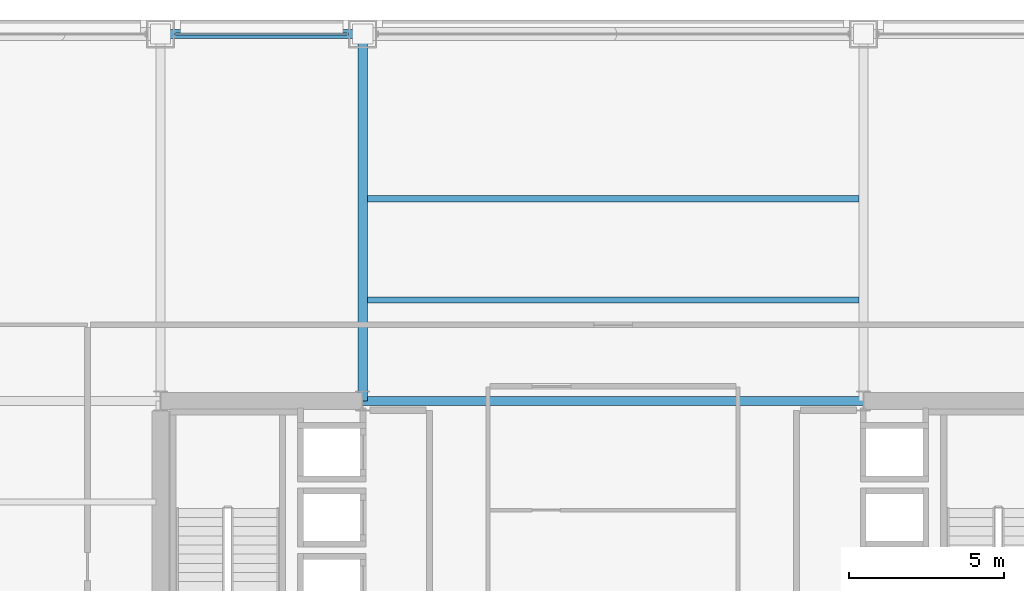
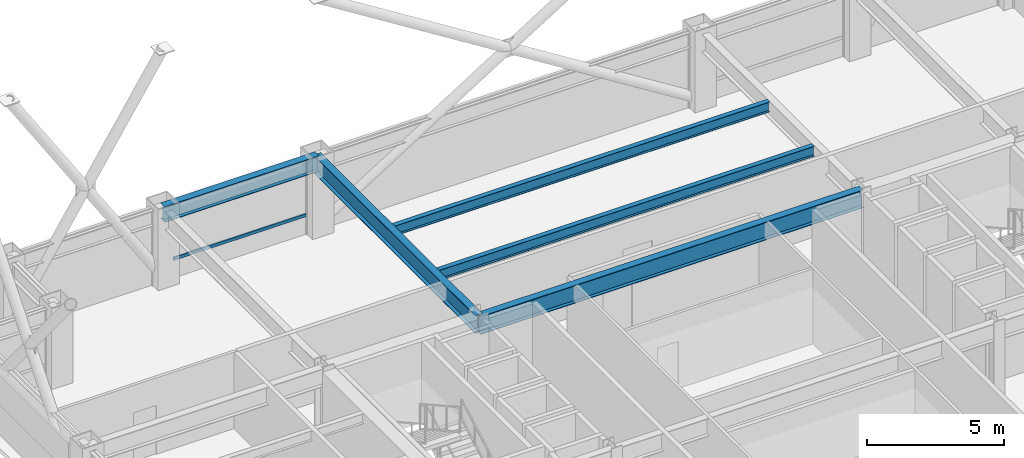
# One storey, part 17 of 30: 5 beams, 1 member, 1 element without a shape of its own.
"""IFC4 building model written with IfcOpenShell, lengths in metres."""

from ifc_helpers import new_model, si_unit, direction, frame, origin, origin_2d, place, context, subcontext, project, spatial, hollow_rectangle, i_section, extrude, material, layer, layer_set, material_profile, profile_set, type_object, element, aggregate, save


model = new_model("IFC4")

# Units and contexts
model_context = context("Model", 3, precision=1e-05, world=origin(), true_north=direction((0.0, 1.0)))
body_context = subcontext(model_context, "Body", "Model", "MODEL_VIEW")
ifc_project = project(units=[si_unit("LENGTHUNIT", "METRE"), si_unit("AREAUNIT", "SQUARE_METRE"), si_unit("VOLUMEUNIT", "CUBIC_METRE"), si_unit("PLANEANGLEUNIT", "RADIAN"), si_unit("MASSUNIT", "GRAM", prefix="KILO")], contexts=[model_context])

# Site, building, storey
site_placement = place(None, origin())
site = spatial("IfcSite", under=ifc_project, at=site_placement, CompositionType="ELEMENT")
building_placement = place(site_placement, origin())
building = spatial("IfcBuilding", under=site, at=building_placement, Name="Brelmoor Portico Tower", CompositionType="ELEMENT")
storey_placement = place(building_placement, frame((0.0, 0.0, 56.39990234375)))
storey = spatial("IfcBuildingStorey", under=building, at=storey_placement, Name="L14", CompositionType="ELEMENT", Elevation=56.39990234375)

# Beams
ifc_material_1 = material(Name="Steel Q355B", Category="steel")
ifc_material_profile_1 = material_profile(ifc_material_1, i_section(OverallWidth=0.199951171875, OverallDepth=0.449951171875, WebThickness=0.009033203125, FlangeThickness=0.013916015625, at=origin_2d()), Name="HN 450x200x9x14")
ifc_profile_set_1 = profile_set([ifc_material_profile_1], Name="Steel Q355B")
beam_type_1 = type_object("IfcBeamType", Name="BM-JS-450", PredefinedType="JOIST", material=ifc_profile_set_1)
for number, where, z_axis, x_axis, name in (
    (1, (-7.89990234375, 13.0, 3.175048828125), (1.0, 0.0, 0.0), (0.0, 1.0, 0.0), "L14 Secondary Composite Joist JS-C03"),
    (2, (-7.89990234375, 16.25, 3.175048828125), (1.0, 0.0, 0.0), (0.0, 1.0, 0.0), "L14 Secondary Composite Joist JS-C04"),
):
    element("IfcBeam", number, at=place(storey_placement, frame(where, z_axis=z_axis, x_axis=x_axis)), inside=storey, type_object=beam_type_1, Name=name, PredefinedType="JOIST", context=body_context, shape_type="SweptSolid", body=[
        extrude(i_section(OverallWidth=0.199951171875, OverallDepth=0.449951171875, WebThickness=0.009033203125, FlangeThickness=0.013916015625, at=origin_2d()), origin(), (0.0, 0.0, 1.0), 15.7998046875),
    ])
ifc_material_profile_2 = material_profile(ifc_material_1, i_section(OverallWidth=0.300048828125, OverallDepth=0.800048828125, WebThickness=0.013916015625, FlangeThickness=0.02587890625, at=origin_2d()), Name="HN 800x300x14x26")
ifc_profile_set_2 = profile_set([ifc_material_profile_2], Name="Steel Q355B")
beam_type_2 = type_object("IfcBeamType", Name="BM-PG-800", PredefinedType="BEAM", material=ifc_profile_set_2)
beam_1_placement = place(storey_placement, frame((-8.050048828125, 9.75, 3.0), z_axis=(0.0, 1.0, 0.0), x_axis=(-1.0, 0.0, 0.0)))
element("IfcBeam", 3, at=beam_1_placement, inside=storey, type_object=beam_type_2, Name="L14 Primary Floor Girder PG-08", PredefinedType="BEAM", context=body_context, shape_type="SweptSolid", body=[
    extrude(i_section(OverallWidth=0.300048828125, OverallDepth=0.800048828125, WebThickness=0.013916015625, FlangeThickness=0.02587890625, at=origin_2d()), origin(), (0.0, 0.0, 1.0), 11.800048828125),
])
beam_2_placement = place(storey_placement, frame((-8.050048828125, 9.75, 3.0), z_axis=(1.0, 0.0, 0.0), x_axis=(0.0, 1.0, 0.0)))
element("IfcBeam", 4, at=beam_2_placement, inside=storey, type_object=beam_type_2, Name="L14 Primary Floor Girder PG-29", PredefinedType="BEAM", context=body_context, shape_type="SweptSolid", body=[
    extrude(i_section(OverallWidth=0.300048828125, OverallDepth=0.800048828125, WebThickness=0.013916015625, FlangeThickness=0.02587890625, at=origin_2d()), origin(), (0.0, 0.0, 1.0), 16.10009765625),
])
ifc_material_profile_3 = material_profile(ifc_material_1, i_section(OverallWidth=0.300048828125, OverallDepth=0.699951171875, WebThickness=0.012939453125, FlangeThickness=0.02392578125, at=origin_2d()), Name="HN 700x300x13x24")
ifc_profile_set_3 = profile_set([ifc_material_profile_3], Name="Steel Q355B")
beam_type_3 = type_object("IfcBeamType", Name="BM-SP-700", PredefinedType="SPANDREL", material=ifc_profile_set_3)
beam_3_placement = place(storey_placement, frame((-14.550048828125, 21.550048828125, 3.050048828125), z_axis=(1.0, 0.0, 0.0), x_axis=(0.0, 1.0, 0.0)))
element("IfcBeam", 5, at=beam_3_placement, inside=storey, type_object=beam_type_3, Name="L14 Perimeter Spandrel Beam SP-11", PredefinedType="SPANDREL", context=body_context, shape_type="SweptSolid", body=[
    extrude(i_section(OverallWidth=0.300048828125, OverallDepth=0.699951171875, WebThickness=0.012939453125, FlangeThickness=0.02392578125, at=origin_2d()), origin(), (0.0, 0.0, 1.0), 6.5),
])

# Curtain wall, member
ifc_material_2 = material(Name="Anodised Aluminium Alloy 6063-T6", Category="aluminium")
ifc_layer = layer(ifc_material_2, 0.179931640625)
ifc_layer_set = layer_set([ifc_layer], Name="Anodised Aluminium Alloy 6063-T6")
curtain_wall_type = type_object("IfcCurtainWallType", Name="CW-TOWER-Z1", PredefinedType="NOTDEFINED", material=ifc_layer_set)
curtain_wall_placement = place(storey_placement, origin())
curtain_wall = element("IfcCurtainWall", 6, at=curtain_wall_placement, inside=storey, type_object=curtain_wall_type, Name="L14 Curtain Wall CW-L14-02-2", PredefinedType="NOTDEFINED")
ifc_material_profile_4 = material_profile(ifc_material_2, hollow_rectangle(XDim=0.06494140625, YDim=0.139892578125, WallThickness=0.00390625, at=origin_2d()), Name="ALU TRANSOM 65x140")
ifc_profile_set_4 = profile_set([ifc_material_profile_4], Name="Anodised Aluminium Alloy 6063-T6")
member_type = type_object("IfcMemberType", Name="MB-CW-TRAN-140", PredefinedType="USERDEFINED", material=ifc_profile_set_4)
member_placement = place(storey_placement, frame((-14.090087890625, 21.550048828125, 0.85009765625), z_axis=(1.0, 0.0, 0.0), x_axis=(0.0, 1.0, 0.0)))
member = element("IfcMember", 7, at=member_placement, type_object=member_type, Name="CW-L14-02-2 Transom 1-00", ObjectType="TRANSOM", PredefinedType="USERDEFINED", context=body_context, shape_type="SweptSolid", body=[
    extrude(hollow_rectangle(XDim=0.06494140625, YDim=0.139892578125, WallThickness=0.00390625, at=origin_2d()), origin(), (0.0, 0.0, 1.0), 5.580078125),
])
aggregate(curtain_wall, [member])

save(model, "model.ifc")
